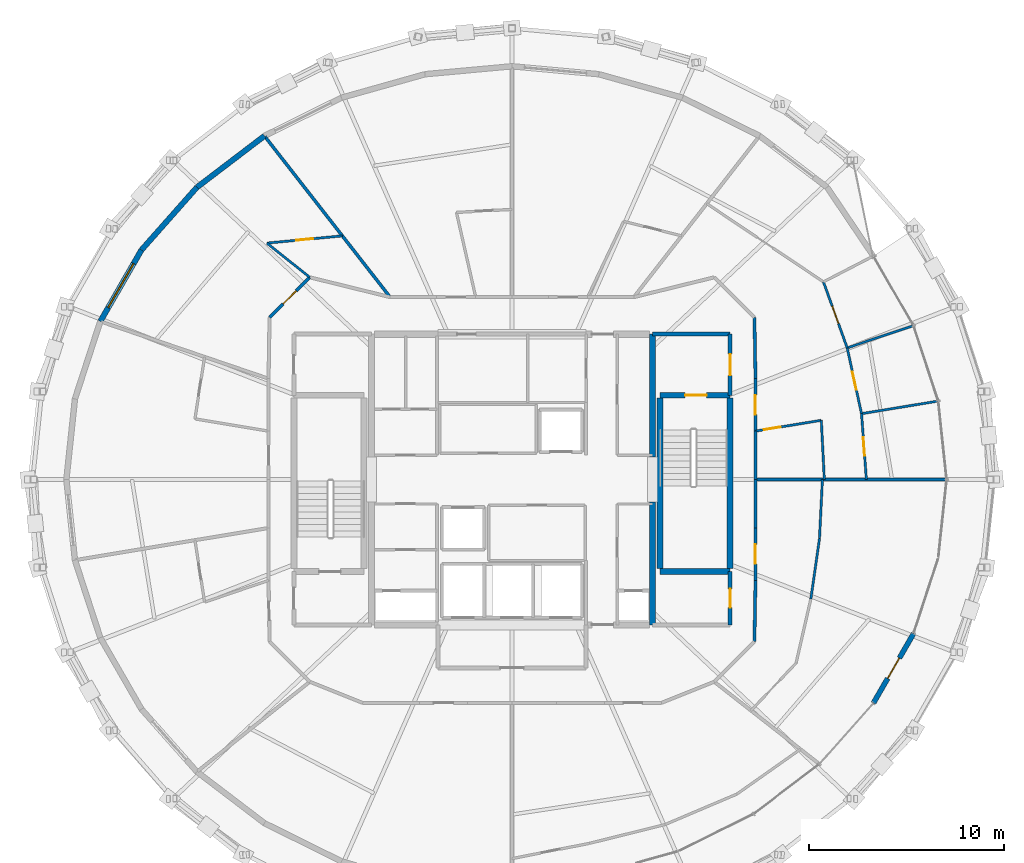
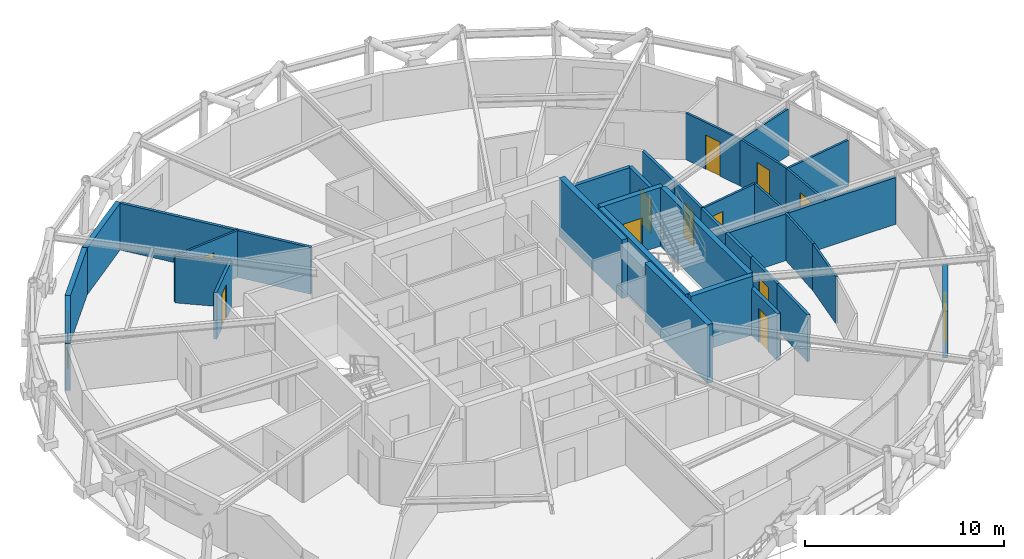
# One storey, part 15 of 17: 33 walls, 12 doors, 1 window, 13 openings.
"""IFC4 building model written with IfcOpenShell, lengths in metres."""

from ifc_helpers import new_model, si_unit, direction, frame, frame_2d, origin, place, context, subcontext, project, spatial, rectangle, extrude, material, layer, layer_set, type_object, element, fill, save


model = new_model("IFC4")

# Units and contexts
model_context = context("Model", 3, precision=1e-05, world=origin(), true_north=direction((0.0, 1.0)))
body_context = subcontext(model_context, "Body", "Model", "MODEL_VIEW")
ifc_project = project(units=[si_unit("LENGTHUNIT", "METRE"), si_unit("AREAUNIT", "SQUARE_METRE"), si_unit("VOLUMEUNIT", "CUBIC_METRE"), si_unit("PLANEANGLEUNIT", "RADIAN"), si_unit("MASSUNIT", "GRAM", prefix="KILO")], contexts=[model_context])

# Site, building, storey
site_placement = place(None, origin())
site = spatial("IfcSite", under=ifc_project, at=site_placement, CompositionType="ELEMENT")
building_placement = place(site_placement, origin())
building = spatial("IfcBuilding", under=site, at=building_placement, Name="Veldorina Hangang Commons", CompositionType="ELEMENT")
storey_placement = place(building_placement, frame((0.0, 0.0, 225.60009765625)))
storey = spatial("IfcBuildingStorey", under=building, at=storey_placement, Name="L58", CompositionType="ELEMENT", Elevation=225.60009765625)

# Walls
ifc_material_1 = material(Name="Concrete C50/60", Category="concrete")
ifc_layer_1 = layer(ifc_material_1, 0.320068359375)
ifc_layer_set_1 = layer_set([ifc_layer_1], Name="Concrete C50/60")
wall_type_1 = type_object("IfcWallType", Name="CW-RC320-C50", PredefinedType="SHEAR", material=ifc_layer_set_1)
for number, where, z_axis, x_axis, name in (
    (1, (39.199951171875, 16.550048828125, 0.0), (0.0, 0.0, 1.0), (0.0, 1.0, 0.0), "L58 E south core shear wall"),
    (2, (39.199951171875, 25.14990234375, 0.0), (0.0, 0.0, 1.0), (0.0, 1.0, 0.0), "L58 E north core shear wall"),
):
    element("IfcWall", number, at=place(storey_placement, frame(where, z_axis=z_axis, x_axis=x_axis)), inside=storey, type_object=wall_type_1, Name=name, PredefinedType="SHEAR", context=body_context, shape_type="SweptSolid", body=[
        extrude(rectangle(XDim=6.300048828125, YDim=0.320068359375, at=frame_2d((3.14990234375, 0.0))), origin(), (0.0, 0.0, 1.0), 3.599853515625),
    ])

# Wall, opening, door
ifc_material_2 = material(Name="Stone Roman Travertine", Category="masonry")
ifc_layer_2 = layer(ifc_material_2, 0.260009765625)
ifc_layer_set_2 = layer_set([ifc_layer_2], Name="Stone Roman Travertine")
wall_type_2 = type_object("IfcWallType", Name="EW-LOGGIA-260", PredefinedType="STANDARD", material=ifc_layer_set_2)
wall_1_placement = place(storey_placement, frame((50.525634765625, 12.542724609375, 0.0), z_axis=(0.0, 0.0, 1.0), x_axis=(0.500105692171, 0.865964373781, 0.0)))
wall_1 = element("IfcWall", 3, at=wall_1_placement, inside=storey, type_object=wall_type_2, Name="L58 sky-garden loggia portal wall 29", PredefinedType="STANDARD", context=body_context, shape_type="SweptSolid", body=[
    extrude(rectangle(XDim=4.1171875, YDim=0.260009765625, at=frame_2d((2.05859375, 0.0))), origin(), (0.0, 0.0, 1.0), 2.8798828125),
])
opening_1_placement = place(wall_1_placement, frame((1.45849609375, 0.0, 0.0)))
opening_1 = element("IfcOpeningElement", 4, at=opening_1_placement, cuts=wall_1, Name="Opening BD-1200", PredefinedType="OPENING", context=body_context, shape_type="SweptSolid", body=[
    extrude(rectangle(XDim=1.199951171875, YDim=2.14990234375, at=frame_2d((0.60009765625, 1.074951171875))), frame((0.0, 0.14013671875, 0.0), z_axis=(0.0, -1.0, 0.0), x_axis=(1.0, 0.0, 0.0)), (0.0, 0.0, 1.0), 0.280029296875),
])
ifc_material_3 = material(Name="Glass Thermal Aluminium Frame", Category="aluminium")
door_type_1 = type_object("IfcDoorType", Name="DR-EXT-LOG1200", OperationType="SINGLE_SWING_LEFT", PredefinedType="DOOR", material=ifc_material_3)
door_1_placement = place(opening_1_placement, origin())
door_1 = element("IfcDoor", 5, at=door_1_placement, inside=storey, type_object=door_type_1, Name="L58 loggia glazed exterior door 29", OperationType="SINGLE_SWING_RIGHT", OverallHeight=2.14990234375, OverallWidth=1.199951171875, PredefinedType="DOOR", context=body_context, shape_type="SweptSolid", body=[
    extrude(rectangle(XDim=1.199951171875, YDim=2.14990234375, at=frame_2d((0.60009765625, 1.074951171875))), frame((0.0, 0.02490234375, 0.0), z_axis=(0.0, -1.0, 0.0), x_axis=(1.0, 0.0, 0.0)), (0.0, 0.0, 1.0), 0.050048828125),
])
fill(opening_1, door_1)

# Walls
ifc_layer_3 = layer(ifc_material_2, 0.280029296875)
ifc_layer_set_3 = layer_set([ifc_layer_3], Name="Stone Roman Travertine")
wall_type_3 = type_object("IfcWallType", Name="EW-TRAV-280", PredefinedType="STANDARD", material=ifc_layer_set_3)
wall_2_placement = place(storey_placement, frame((19.310302734375, 41.612548828125, 0.0), z_axis=(0.0, 0.0, 1.0), x_axis=(-0.795722836513, -0.605660934394, 0.0)))
element("IfcWall", 6, at=wall_2_placement, inside=storey, type_object=wall_type_3, Name="L58 travertine facade wall 11", PredefinedType="STANDARD", context=body_context, shape_type="SweptSolid", body=[
    extrude(rectangle(XDim=4.349365234375, YDim=0.280029296875, at=frame_2d((2.1748046875, 0.0))), origin(), (0.0, 0.0, 1.0), 2.8798828125),
])
wall_3_placement = place(storey_placement, frame((15.849365234375, 38.978271484375, 0.0), z_axis=(0.0, 0.0, 1.0), x_axis=(-0.662704142497, -0.748881312037, 0.0)))
element("IfcWall", 7, at=wall_3_placement, inside=storey, type_object=wall_type_3, Name="L58 travertine facade wall 12", PredefinedType="STANDARD", context=body_context, shape_type="SweptSolid", body=[
    extrude(rectangle(XDim=4.286376953125, YDim=0.280029296875, at=frame_2d((2.14306640625, 0.0))), origin(), (0.0, 0.0, 1.0), 2.8798828125),
])

# Wall, opening, window
wall_4_placement = place(storey_placement, frame((13.0087890625, 35.768310546875, 0.0), z_axis=(0.0, 0.0, 1.0), x_axis=(-0.499382401046, -0.866381681204, 0.0)))
wall_4 = element("IfcWall", 8, at=wall_4_placement, inside=storey, type_object=wall_type_3, Name="L58 travertine facade wall 13", PredefinedType="STANDARD", context=body_context, shape_type="SweptSolid", body=[
    extrude(rectangle(XDim=4.226806640625, YDim=0.280029296875, at=frame_2d((2.11328125, 0.0))), origin(), (0.0, 0.0, 1.0), 2.8798828125),
])
opening_2_placement = place(wall_4_placement, frame((0.8134765625, 0.0, 0.800048828125)))
opening_2 = element("IfcOpeningElement", 9, at=opening_2_placement, cuts=wall_4, Name="Opening W-02", PredefinedType="OPENING", context=body_context, shape_type="SweptSolid", body=[
    extrude(rectangle(XDim=2.60009765625, YDim=1.64990234375, at=frame_2d((1.300048828125, 0.824951171875))), frame((0.0, 0.14990234375, 0.0), z_axis=(0.0, -1.0, 0.0), x_axis=(1.0, 0.0, 0.0)), (0.0, 0.0, 1.0), 0.300048828125),
])
ifc_material_4 = material(Name="Glass Low-E Triple IGU", Category="glass")
window_type = type_object("IfcWindowType", Name="WIN-TWR-2600", PartitioningType="SINGLE_PANEL", PredefinedType="WINDOW", material=ifc_material_4)
window_placement = place(opening_2_placement, origin())
window = element("IfcWindow", 10, at=window_placement, inside=storey, type_object=window_type, Name="L58 facade window 13", OverallHeight=1.64990234375, OverallWidth=2.60009765625, PartitioningType="SINGLE_PANEL", PredefinedType="WINDOW", context=body_context, shape_type="SweptSolid", body=[
    extrude(rectangle(XDim=2.60009765625, YDim=1.64990234375, at=frame_2d((1.300048828125, 0.824951171875))), frame((0.0, 0.030029296875, 0.0), z_axis=(0.0, -1.0, 0.0), x_axis=(1.0, 0.0, 0.0)), (0.0, 0.0, 1.0), 0.06005859375),
])
fill(opening_2, window)

# Walls
ifc_layer_4 = layer(ifc_material_1, 0.300048828125)
ifc_layer_set_4 = layer_set([ifc_layer_4], Name="Concrete C50/60")
wall_type_4 = type_object("IfcWallType", Name="SW-STAIR-300", PredefinedType="SHEAR", material=ifc_layer_set_4)
for number, where, z_axis, x_axis, name in (
    (11, (43.179931640625, 19.429931640625, 0.0), (0.0, 0.0, 1.0), (0.0, 1.0, 0.0), "L58 ST2 outer stair shear wall"),
    (12, (39.580078125, 19.429931640625, 0.0), (0.0, 0.0, 1.0), (0.0, 1.0, 0.0), "L58 ST2 inner stair shear wall"),
):
    element("IfcWall", number, at=place(storey_placement, frame(where, z_axis=z_axis, x_axis=x_axis)), inside=storey, type_object=wall_type_4, Name=name, PredefinedType="SHEAR", context=body_context, shape_type="SweptSolid", body=[
        extrude(rectangle(XDim=8.739990234375, YDim=0.300048828125, at=frame_2d((4.3701171875, 0.0))), origin(), (0.0, 0.0, 1.0), 3.599853515625),
    ])
wall_5_placement = place(storey_placement, frame((39.580078125, 19.280029296875, 0.0), z_axis=(0.0, 0.0, 1.0), x_axis=(1.0, 0.0, 0.0)))
element("IfcWall", 13, at=wall_5_placement, inside=storey, type_object=wall_type_4, Name="L58 ST2 south stair shear wall", PredefinedType="SHEAR", context=body_context, shape_type="SweptSolid", body=[
    extrude(rectangle(XDim=3.599853515625, YDim=0.300048828125, at=frame_2d((1.7998046875, 0.0))), origin(), (0.0, 0.0, 1.0), 3.599853515625),
])

# Wall, opening, door
wall_6_placement = place(storey_placement, frame((39.580078125, 28.320068359375, 0.0), z_axis=(0.0, 0.0, 1.0), x_axis=(1.0, 0.0, 0.0)))
wall_6 = element("IfcWall", 14, at=wall_6_placement, inside=storey, type_object=wall_type_4, Name="L58 ST2 north stair shear wall", PredefinedType="SHEAR", context=body_context, shape_type="SweptSolid", body=[
    extrude(rectangle(XDim=3.599853515625, YDim=0.300048828125, at=frame_2d((1.7998046875, 0.0))), origin(), (0.0, 0.0, 1.0), 3.599853515625),
])
opening_3_placement = place(wall_6_placement, frame((1.300048828125, 0.0, 0.0)))
opening_3 = element("IfcOpeningElement", 15, at=opening_3_placement, cuts=wall_6, Name="Opening D-08", PredefinedType="OPENING", context=body_context, shape_type="SweptSolid", body=[
    extrude(rectangle(XDim=1.10009765625, YDim=2.10009765625, at=frame_2d((0.550048828125, 1.050048828125))), frame((0.0, 0.16015625, 0.0), z_axis=(0.0, -1.0, 0.0), x_axis=(1.0, 0.0, 0.0)), (0.0, 0.0, 1.0), 0.320068359375),
])
ifc_material_5 = material(Name="Steel Fire-Rated Smoke Seal", Category="steel")
door_type_2 = type_object("IfcDoorType", Name="DR-FIRE-1100", OperationType="SINGLE_SWING_RIGHT", PredefinedType="DOOR", material=ifc_material_5)
door_2_placement = place(opening_3_placement, origin())
door_2 = element("IfcDoor", 16, at=door_2_placement, inside=storey, type_object=door_type_2, Name="L58 Special Escape Stair ST-2 door", OperationType="SINGLE_SWING_RIGHT", OverallHeight=2.10009765625, OverallWidth=1.10009765625, PredefinedType="DOOR", context=body_context, shape_type="SweptSolid", body=[
    extrude(rectangle(XDim=1.10009765625, YDim=2.10009765625, at=frame_2d((0.550048828125, 1.050048828125))), frame((0.0, 0.02490234375, 0.0), z_axis=(0.0, -1.0, 0.0), x_axis=(1.0, 0.0, 0.0)), (0.0, 0.0, 1.0), 0.050048828125),
])
fill(opening_3, door_2)

# Wall
ifc_material_6 = material(Name="Gypsum Fire-Rated Twin Stud Wall", Category="gypsum")
ifc_layer_5 = layer(ifc_material_6, 0.159912109375)
ifc_layer_set_5 = layer_set([ifc_layer_5], Name="Gypsum Fire-Rated Twin Stud Wall")
wall_type_5 = type_object("IfcWallType", Name="WL-FIRE-160", PredefinedType="SOLIDWALL", material=ifc_layer_set_5)
wall_7_placement = place(storey_placement, frame((44.47998046875, 24.0, 0.0), z_axis=(0.0, 0.0, 1.0), x_axis=(0.0, 1.0, 0.0)))
element("IfcWall", 17, at=wall_7_placement, inside=storey, type_object=wall_type_5, Name="L58 Compact collar outer wall 00 054", PredefinedType="SOLIDWALL", context=body_context, shape_type="SweptSolid", body=[
    extrude(rectangle(XDim=2.482421875, YDim=0.159912109375, at=frame_2d((1.2412109375, 0.0))), origin(), (0.0, 0.0, 1.0), 2.869873046875),
])

# Wall, opening, door
wall_8_placement = place(storey_placement, frame((44.47998046875, 26.482421875, 0.0), z_axis=(0.0, 0.0, 1.0), x_axis=(0.0, 1.0, 0.0)))
wall_8 = element("IfcWall", 18, at=wall_8_placement, inside=storey, type_object=wall_type_5, Name="L58 Compact collar outer wall 01 055", PredefinedType="SOLIDWALL", context=body_context, shape_type="SweptSolid", body=[
    extrude(rectangle(XDim=2.68701171875, YDim=0.159912109375, at=frame_2d((1.343505859375, 0.0))), origin(), (0.0, 0.0, 1.0), 2.869873046875),
])
opening_4_placement = place(wall_8_placement, frame((0.843505859375, 0.0, 0.0)))
opening_4 = element("IfcOpeningElement", 19, at=opening_4_placement, cuts=wall_8, Name="Opening D-06", PredefinedType="OPENING", context=body_context, shape_type="SweptSolid", body=[
    extrude(rectangle(XDim=1.0, YDim=2.10009765625, at=frame_2d((0.5, 1.050048828125))), frame((0.0, 0.08984375, 0.0), z_axis=(0.0, -1.0, 0.0), x_axis=(1.0, 0.0, 0.0)), (0.0, 0.0, 1.0), 0.179931640625),
])
ifc_material_7 = material(Name="Timber Fire-Rated Entrance Core", Category="wood")
door_type_3 = type_object("IfcDoorType", Name="DR-UNIT-1000", OperationType="SINGLE_SWING_LEFT", PredefinedType="DOOR", material=ifc_material_7)
door_3_placement = place(opening_4_placement, origin())
door_3 = element("IfcDoor", 20, at=door_3_placement, inside=storey, type_object=door_type_3, Name="L58 Cluster 2 entrance door 027", OperationType="SINGLE_SWING_LEFT", OverallHeight=2.10009765625, OverallWidth=1.0, PredefinedType="DOOR", context=body_context, shape_type="SweptSolid", body=[
    extrude(rectangle(XDim=1.0, YDim=2.10009765625, at=frame_2d((0.5, 1.050048828125))), frame((0.0, 0.02490234375, 0.0), z_axis=(0.0, -1.0, 0.0), x_axis=(1.0, 0.0, 0.0)), (0.0, 0.0, 1.0), 0.050048828125),
])
fill(opening_4, door_3)

# Wall
wall_9_placement = place(storey_placement, frame((44.47998046875, 29.16943359375, 0.0), z_axis=(0.0, 0.0, 1.0), x_axis=(-0.016981035134, 0.999855811828, 0.0)))
element("IfcWall", 21, at=wall_9_placement, inside=storey, type_object=wall_type_5, Name="L58 Compact collar outer wall 02 056", PredefinedType="SOLIDWALL", context=body_context, shape_type="SweptSolid", body=[
    extrude(rectangle(XDim=3.13427734375, YDim=0.159912109375, at=frame_2d((1.567138671875, 0.0))), origin(), (0.0, 0.0, 1.0), 2.869873046875),
])

# Wall, opening, door
wall_10_placement = place(storey_placement, frame((21.635009765625, 34.364990234375, 0.0), z_axis=(0.0, 0.0, 1.0), x_axis=(-0.707106781187, -0.707106781187, 0.0)))
wall_10 = element("IfcWall", 22, at=wall_10_placement, inside=storey, type_object=wall_type_5, Name="L58 Compact collar outer wall 12 066", PredefinedType="SOLIDWALL", context=body_context, shape_type="SweptSolid", body=[
    extrude(rectangle(XDim=2.915771484375, YDim=0.159912109375, at=frame_2d((1.4580078125, 0.0))), origin(), (0.0, 0.0, 1.0), 2.869873046875),
])
opening_5_placement = place(wall_10_placement, frame((0.98291015625, 0.0, 0.0)))
opening_5 = element("IfcOpeningElement", 23, at=opening_5_placement, cuts=wall_10, Name="Opening D-03", PredefinedType="OPENING", context=body_context, shape_type="SweptSolid", body=[
    extrude(rectangle(XDim=0.949951171875, YDim=2.10009765625, at=frame_2d((0.47509765625, 1.050048828125))), frame((0.0, 0.08984375, 0.0), z_axis=(0.0, -1.0, 0.0), x_axis=(1.0, 0.0, 0.0)), (0.0, 0.0, 1.0), 0.179931640625),
])
door_type_4 = type_object("IfcDoorType", Name="DR-UNIT-950", OperationType="SINGLE_SWING_RIGHT", PredefinedType="DOOR", material=ifc_material_7)
door_4_placement = place(opening_5_placement, origin())
door_4 = element("IfcDoor", 24, at=door_4_placement, inside=storey, type_object=door_type_4, Name="L58 Studio 5 entrance door 037", OperationType="SINGLE_SWING_LEFT", OverallHeight=2.10009765625, OverallWidth=0.949951171875, PredefinedType="DOOR", context=body_context, shape_type="SweptSolid", body=[
    extrude(rectangle(XDim=0.949951171875, YDim=2.10009765625, at=frame_2d((0.47509765625, 1.050048828125))), frame((0.0, 0.02490234375, 0.0), z_axis=(0.0, -1.0, 0.0), x_axis=(1.0, 0.0, 0.0)), (0.0, 0.0, 1.0), 0.050048828125),
])
fill(opening_5, door_4)

# Wall
wall_11_placement = place(storey_placement, frame((44.4267578125, 15.69677734375, 0.0), z_axis=(0.0, 0.0, 1.0), x_axis=(0.016981035134, 0.999855811828, 0.0)))
element("IfcWall", 25, at=wall_11_placement, inside=storey, type_object=wall_type_5, Name="L58 Compact collar outer wall 29 083", PredefinedType="SOLIDWALL", context=body_context, shape_type="SweptSolid", body=[
    extrude(rectangle(XDim=3.13427734375, YDim=0.159912109375, at=frame_2d((1.567138671875, 0.0))), origin(), (0.0, 0.0, 1.0), 2.869873046875),
])

# Wall, opening, door
wall_12_placement = place(storey_placement, frame((44.47998046875, 18.83056640625, 0.0), z_axis=(0.0, 0.0, 1.0), x_axis=(0.0, 1.0, 0.0)))
wall_12 = element("IfcWall", 26, at=wall_12_placement, inside=storey, type_object=wall_type_5, Name="L58 Compact collar outer wall 30 084", PredefinedType="SOLIDWALL", context=body_context, shape_type="SweptSolid", body=[
    extrude(rectangle(XDim=2.68701171875, YDim=0.159912109375, at=frame_2d((1.343505859375, 0.0))), origin(), (0.0, 0.0, 1.0), 2.869873046875),
])
opening_6_placement = place(wall_12_placement, frame((0.843505859375, 0.0, 0.0)))
opening_6 = element("IfcOpeningElement", 27, at=opening_6_placement, cuts=wall_12, Name="Opening D-05", PredefinedType="OPENING", context=body_context, shape_type="SweptSolid", body=[
    extrude(rectangle(XDim=1.0, YDim=2.10009765625, at=frame_2d((0.5, 1.050048828125))), frame((0.0, 0.08984375, 0.0), z_axis=(0.0, -1.0, 0.0), x_axis=(1.0, 0.0, 0.0)), (0.0, 0.0, 1.0), 0.179931640625),
])
ifc_material_8 = material(Name="Timber Solid Core Acoustic", Category="wood")
door_type_5 = type_object("IfcDoorType", Name="DR-INT-1000", OperationType="SINGLE_SWING_RIGHT", PredefinedType="DOOR", material=ifc_material_8)
door_5_placement = place(opening_6_placement, origin())
door_5 = element("IfcDoor", 28, at=door_5_placement, inside=storey, type_object=door_type_5, Name="L58 Commons alcove door 024", OperationType="SINGLE_SWING_RIGHT", OverallHeight=2.10009765625, OverallWidth=1.0, PredefinedType="DOOR", context=body_context, shape_type="SweptSolid", body=[
    extrude(rectangle(XDim=1.0, YDim=2.10009765625, at=frame_2d((0.5, 1.050048828125))), frame((0.0, 0.02490234375, 0.0), z_axis=(0.0, -1.0, 0.0), x_axis=(1.0, 0.0, 0.0)), (0.0, 0.0, 1.0), 0.050048828125),
])
fill(opening_6, door_5)

# Walls
wall_13_placement = place(storey_placement, frame((44.47998046875, 21.517578125, 0.0), z_axis=(0.0, 0.0, 1.0), x_axis=(0.0, 1.0, 0.0)))
element("IfcWall", 29, at=wall_13_placement, inside=storey, type_object=wall_type_5, Name="L58 Compact collar outer wall 31 085", PredefinedType="SOLIDWALL", context=body_context, shape_type="SweptSolid", body=[
    extrude(rectangle(XDim=2.482421875, YDim=0.159912109375, at=frame_2d((1.2412109375, 0.0))), origin(), (0.0, 0.0, 1.0), 2.869873046875),
])
wall_14_placement = place(storey_placement, frame((44.47998046875, 24.0, 0.0), z_axis=(0.0, 0.0, 1.0), x_axis=(1.0, 0.0, 0.0)))
element("IfcWall", 30, at=wall_14_placement, inside=storey, type_object=wall_type_5, Name="L58 Unit party wall 00 091", PredefinedType="SOLIDWALL", context=body_context, shape_type="SweptSolid", body=[
    extrude(rectangle(XDim=9.750732421875, YDim=0.159912109375, at=frame_2d((4.87548828125, 0.0))), origin(), (0.0, 0.0, 1.0), 2.869873046875),
])
wall_15_placement = place(storey_placement, frame((25.75244140625, 33.35009765625, 0.0), z_axis=(0.0, 0.0, 1.0), x_axis=(-0.614883592215, 0.788617884672, 0.0)))
element("IfcWall", 31, at=wall_15_placement, inside=storey, type_object=wall_type_5, Name="L58 Unit party wall 11 107", PredefinedType="SOLIDWALL", context=body_context, shape_type="SweptSolid", body=[
    extrude(rectangle(XDim=10.427001953125, YDim=0.159912109375, at=frame_2d((5.21337890625, 0.0))), origin(), (0.0, 0.0, 1.0), 2.869873046875),
])

# Wall, opening, door
ifc_material_9 = material(Name="Concrete Blockwork Fire Wall C30/37", Category="masonry")
ifc_layer_6 = layer(ifc_material_9, 0.199951171875)
ifc_layer_set_6 = layer_set([ifc_layer_6], Name="Concrete Blockwork Fire Wall C30/37")
wall_type_6 = type_object("IfcWallType", Name="WL-FIRE-200", PredefinedType="SOLIDWALL", material=ifc_layer_set_6)
wall_16_placement = place(storey_placement, frame((43.179931640625, 28.320068359375, 0.0), z_axis=(0.0, 0.0, 1.0), x_axis=(0.0, 1.0, 0.0)))
wall_16 = element("IfcWall", 32, at=wall_16_placement, inside=storey, type_object=wall_type_6, Name="L58 East vestibule outer wall 003", PredefinedType="SOLIDWALL", context=body_context, shape_type="SweptSolid", body=[
    extrude(rectangle(XDim=3.1298828125, YDim=0.199951171875, at=frame_2d((1.56494140625, 0.0))), origin(), (0.0, 0.0, 1.0), 2.869873046875),
])
opening_7_placement = place(wall_16_placement, frame((1.014892578125, 0.0, 0.0)))
opening_7 = element("IfcOpeningElement", 33, at=opening_7_placement, cuts=wall_16, Name="Opening D-08", PredefinedType="OPENING", context=body_context, shape_type="SweptSolid", body=[
    extrude(rectangle(XDim=1.10009765625, YDim=2.10009765625, at=frame_2d((0.550048828125, 1.050048828125))), frame((0.0, 0.10986328125, 0.0), z_axis=(0.0, -1.0, 0.0), x_axis=(1.0, 0.0, 0.0)), (0.0, 0.0, 1.0), 0.219970703125),
])
door_6_placement = place(opening_7_placement, origin())
door_6 = element("IfcDoor", 34, at=door_6_placement, inside=storey, type_object=door_type_2, Name="L58 East vestibule east door 002", OperationType="SINGLE_SWING_RIGHT", OverallHeight=2.10009765625, OverallWidth=1.10009765625, PredefinedType="DOOR", context=body_context, shape_type="SweptSolid", body=[
    extrude(rectangle(XDim=1.10009765625, YDim=2.10009765625, at=frame_2d((0.550048828125, 1.050048828125))), frame((0.0, 0.02490234375, 0.0), z_axis=(0.0, -1.0, 0.0), x_axis=(1.0, 0.0, 0.0)), (0.0, 0.0, 1.0), 0.050048828125),
])
fill(opening_7, door_6)

# Wall
wall_17_placement = place(storey_placement, frame((39.199951171875, 31.449951171875, 0.0), z_axis=(0.0, 0.0, 1.0), x_axis=(1.0, 0.0, 0.0)))
element("IfcWall", 35, at=wall_17_placement, inside=storey, type_object=wall_type_6, Name="L58 East vestibule north wall 004", PredefinedType="SOLIDWALL", context=body_context, shape_type="SweptSolid", body=[
    extrude(rectangle(XDim=3.97998046875, YDim=0.199951171875, at=frame_2d((1.989990234375, 0.0))), origin(), (0.0, 0.0, 1.0), 2.869873046875),
])

# Wall, opening, door
wall_18_placement = place(storey_placement, frame((43.179931640625, 16.550048828125, 0.0), z_axis=(0.0, 0.0, 1.0), x_axis=(0.0, 1.0, 0.0)))
wall_18 = element("IfcWall", 36, at=wall_18_placement, inside=storey, type_object=wall_type_6, Name="L58 SE core room outer wall 007", PredefinedType="SOLIDWALL", context=body_context, shape_type="SweptSolid", body=[
    extrude(rectangle(XDim=2.72998046875, YDim=0.199951171875, at=frame_2d((1.364990234375, 0.0))), origin(), (0.0, 0.0, 1.0), 2.869873046875),
])
opening_8_placement = place(wall_18_placement, frame((0.889892578125, 0.0, 0.0)))
opening_8 = element("IfcOpeningElement", 37, at=opening_8_placement, cuts=wall_18, Name="Opening D-02", PredefinedType="OPENING", context=body_context, shape_type="SweptSolid", body=[
    extrude(rectangle(XDim=0.949951171875, YDim=2.10009765625, at=frame_2d((0.47509765625, 1.050048828125))), frame((0.0, 0.10986328125, 0.0), z_axis=(0.0, -1.0, 0.0), x_axis=(1.0, 0.0, 0.0)), (0.0, 0.0, 1.0), 0.219970703125),
])
door_type_6 = type_object("IfcDoorType", Name="DR-INT-950", OperationType="SINGLE_SWING_LEFT", PredefinedType="DOOR", material=ifc_material_8)
door_7_placement = place(opening_8_placement, origin())
door_7 = element("IfcDoor", 38, at=door_7_placement, inside=storey, type_object=door_type_6, Name="L58 SE core WC door 004", OperationType="SINGLE_SWING_RIGHT", OverallHeight=2.10009765625, OverallWidth=0.949951171875, PredefinedType="DOOR", context=body_context, shape_type="SweptSolid", body=[
    extrude(rectangle(XDim=0.949951171875, YDim=2.10009765625, at=frame_2d((0.47509765625, 1.050048828125))), frame((0.0, 0.02490234375, 0.0), z_axis=(0.0, -1.0, 0.0), x_axis=(1.0, 0.0, 0.0)), (0.0, 0.0, 1.0), 0.050048828125),
])
fill(opening_8, door_7)

# Walls
ifc_material_10 = material(Name="Gypsum Acoustic Stud Partition", Category="gypsum")
ifc_layer_7 = layer(ifc_material_10, 0.1201171875)
ifc_layer_set_7 = layer_set([ifc_layer_7], Name="Gypsum Acoustic Stud Partition")
wall_type_7 = type_object("IfcWallType", Name="WL-PART-120", PredefinedType="PARTITIONING", material=ifc_layer_set_7)
wall_19_placement = place(storey_placement, frame((47.316650390625, 17.877685546875, 0.0), z_axis=(0.0, 0.0, 1.0), x_axis=(0.141705072356, 0.9899089213, 0.0)))
element("IfcWall", 39, at=wall_19_placement, inside=storey, type_object=wall_type_7, Name="L58 Lounge alcove split 2 089", PredefinedType="PARTITIONING", context=body_context, shape_type="SweptSolid", body=[
    extrude(rectangle(XDim=3.132080078125, YDim=0.1201171875, at=frame_2d((1.56591796875, 0.0))), origin(), (0.0, 0.0, 1.0), 2.869873046875),
])
wall_20_placement = place(storey_placement, frame((47.760498046875, 20.978271484375, 0.0), z_axis=(0.0, 0.0, 1.0), x_axis=(0.049466716378, 0.998775772619, 0.0)))
element("IfcWall", 40, at=wall_20_placement, inside=storey, type_object=wall_type_7, Name="L58 Lounge alcove split 3 090", PredefinedType="PARTITIONING", context=body_context, shape_type="SweptSolid", body=[
    extrude(rectangle(XDim=3.025390625, YDim=0.1201171875, at=frame_2d((1.5126953125, 0.0))), origin(), (0.0, 0.0, 1.0), 2.869873046875),
])
wall_21_placement = place(storey_placement, frame((48.00830078125, 24.0, 0.0), z_axis=(0.0, 0.0, 1.0), x_axis=(-0.050738421971, 0.998711976766, 0.0)))
element("IfcWall", 41, at=wall_21_placement, inside=storey, type_object=wall_type_7, Name="L58 Cluster 2 bath front wall 092", PredefinedType="PARTITIONING", context=body_context, shape_type="SweptSolid", body=[
    extrude(rectangle(XDim=3.041015625, YDim=0.1201171875, at=frame_2d((1.5205078125, 0.0))), origin(), (0.0, 0.0, 1.0), 2.869873046875),
])

# Wall, opening, door
wall_22_placement = place(storey_placement, frame((44.47998046875, 26.482421875, 0.0), z_axis=(0.0, 0.0, 1.0), x_axis=(0.986754313542, 0.162221837943, 0.0)))
wall_22 = element("IfcWall", 42, at=wall_22_placement, inside=storey, type_object=wall_type_7, Name="L58 Cluster 2 bath side wall 093", PredefinedType="PARTITIONING", context=body_context, shape_type="SweptSolid", body=[
    extrude(rectangle(XDim=3.41943359375, YDim=0.1201171875, at=frame_2d((1.709716796875, 0.0))), origin(), (0.0, 0.0, 1.0), 2.869873046875),
])
opening_9_placement = place(wall_22_placement, frame((0.43994140625, 0.0, 0.0)))
opening_9 = element("IfcOpeningElement", 43, at=opening_9_placement, cuts=wall_22, Name="Opening D-01", PredefinedType="OPENING", context=body_context, shape_type="SweptSolid", body=[
    extrude(rectangle(XDim=0.860107421875, YDim=2.10009765625, at=frame_2d((0.43017578125, 1.050048828125))), frame((0.0, 0.070068359375, 0.0), z_axis=(0.0, -1.0, 0.0), x_axis=(1.0, 0.0, 0.0)), (0.0, 0.0, 1.0), 0.14013671875),
])
ifc_material_11 = material(Name="Timber Moisture-Resistant Core", Category="wood")
door_type_7 = type_object("IfcDoorType", Name="DR-WET-860", OperationType="SINGLE_SWING_LEFT", PredefinedType="DOOR", material=ifc_material_11)
door_8_placement = place(opening_9_placement, origin())
door_8 = element("IfcDoor", 44, at=door_8_placement, inside=storey, type_object=door_type_7, Name="L58 Cluster 2 shared bathroom door 026", OperationType="SINGLE_SWING_RIGHT", OverallHeight=2.10009765625, OverallWidth=0.860107421875, PredefinedType="DOOR", context=body_context, shape_type="SweptSolid", body=[
    extrude(rectangle(XDim=0.860107421875, YDim=2.10009765625, at=frame_2d((0.43017578125, 1.050048828125))), frame((0.0, 0.02490234375, 0.0), z_axis=(0.0, -1.0, 0.0), x_axis=(1.0, 0.0, 0.0)), (0.0, 0.0, 1.0), 0.050048828125),
])
fill(opening_9, door_8)

wall_23_placement = place(storey_placement, frame((50.164306640625, 24.0, 0.0), z_axis=(0.0, 0.0, 1.0), x_axis=(-0.073343046292, 0.997306772042, 0.0)))
wall_23 = element("IfcWall", 45, at=wall_23_placement, inside=storey, type_object=wall_type_7, Name="L58 Cluster 2 bed 1 front wall 094", PredefinedType="PARTITIONING", context=body_context, shape_type="SweptSolid", body=[
    extrude(rectangle(XDim=3.38525390625, YDim=0.1201171875, at=frame_2d((1.692626953125, 0.0))), origin(), (0.0, 0.0, 1.0), 2.869873046875),
])
opening_10_placement = place(wall_23_placement, frame((1.217529296875, 0.0, 0.0)))
opening_10 = element("IfcOpeningElement", 46, at=opening_10_placement, cuts=wall_23, Name="Opening D-02", PredefinedType="OPENING", context=body_context, shape_type="SweptSolid", body=[
    extrude(rectangle(XDim=0.949951171875, YDim=2.10009765625, at=frame_2d((0.47509765625, 1.050048828125))), frame((0.0, 0.070068359375, 0.0), z_axis=(0.0, -1.0, 0.0), x_axis=(1.0, 0.0, 0.0)), (0.0, 0.0, 1.0), 0.14013671875),
])
door_9_placement = place(opening_10_placement, origin())
door_9 = element("IfcDoor", 47, at=door_9_placement, inside=storey, type_object=door_type_6, Name="L58 Cluster 2 bed 1 door 028", OperationType="SINGLE_SWING_RIGHT", OverallHeight=2.10009765625, OverallWidth=0.949951171875, PredefinedType="DOOR", context=body_context, shape_type="SweptSolid", body=[
    extrude(rectangle(XDim=0.949951171875, YDim=2.10009765625, at=frame_2d((0.47509765625, 1.050048828125))), frame((0.0, 0.02490234375, 0.0), z_axis=(0.0, -1.0, 0.0), x_axis=(1.0, 0.0, 0.0)), (0.0, 0.0, 1.0), 0.050048828125),
])
fill(opening_10, door_9)

wall_24_placement = place(storey_placement, frame((49.916015625, 27.376220703125, 0.0), z_axis=(0.0, 0.0, 1.0), x_axis=(-0.213063946471, 0.977038256525, 0.0)))
wall_24 = element("IfcWall", 48, at=wall_24_placement, inside=storey, type_object=wall_type_7, Name="L58 Cluster 2 bed 2 front wall 095", PredefinedType="PARTITIONING", context=body_context, shape_type="SweptSolid", body=[
    extrude(rectangle(XDim=3.451416015625, YDim=0.1201171875, at=frame_2d((1.7255859375, 0.0))), origin(), (0.0, 0.0, 1.0), 2.869873046875),
])
opening_11_placement = place(wall_24_placement, frame((1.250732421875, 0.0, 0.0)))
opening_11 = element("IfcOpeningElement", 49, at=opening_11_placement, cuts=wall_24, Name="Opening D-02", PredefinedType="OPENING", context=body_context, shape_type="SweptSolid", body=[
    extrude(rectangle(XDim=0.949951171875, YDim=2.10009765625, at=frame_2d((0.47509765625, 1.050048828125))), frame((0.0, 0.070068359375, 0.0), z_axis=(0.0, -1.0, 0.0), x_axis=(1.0, 0.0, 0.0)), (0.0, 0.0, 1.0), 0.14013671875),
])
door_10_placement = place(opening_11_placement, origin())
door_10 = element("IfcDoor", 50, at=door_10_placement, inside=storey, type_object=door_type_6, Name="L58 Cluster 2 bed 2 door 029", OperationType="SINGLE_SWING_LEFT", OverallHeight=2.10009765625, OverallWidth=0.949951171875, PredefinedType="DOOR", context=body_context, shape_type="SweptSolid", body=[
    extrude(rectangle(XDim=0.949951171875, YDim=2.10009765625, at=frame_2d((0.47509765625, 1.050048828125))), frame((0.0, 0.02490234375, 0.0), z_axis=(0.0, -1.0, 0.0), x_axis=(1.0, 0.0, 0.0)), (0.0, 0.0, 1.0), 0.050048828125),
])
fill(opening_11, door_10)

# Wall
wall_25_placement = place(storey_placement, frame((49.916015625, 27.376220703125, 0.0), z_axis=(0.0, 0.0, 1.0), x_axis=(0.98675994364, 0.162187587772, 0.0)))
element("IfcWall", 51, at=wall_25_placement, inside=storey, type_object=wall_type_7, Name="L58 Cluster 2 bed divider 1 096", PredefinedType="PARTITIONING", context=body_context, shape_type="SweptSolid", body=[
    extrude(rectangle(XDim=3.939453125, YDim=0.1201171875, at=frame_2d((1.9697265625, 0.0))), origin(), (0.0, 0.0, 1.0), 2.869873046875),
])

# Wall, opening, door
wall_26_placement = place(storey_placement, frame((49.1806640625, 30.748291015625, 0.0), z_axis=(0.0, 0.0, 1.0), x_axis=(-0.33827951378, 0.941045679314, 0.0)))
wall_26 = element("IfcWall", 52, at=wall_26_placement, inside=storey, type_object=wall_type_7, Name="L58 Cluster 2 bed 3 front wall 097", PredefinedType="PARTITIONING", context=body_context, shape_type="SweptSolid", body=[
    extrude(rectangle(XDim=3.59619140625, YDim=0.1201171875, at=frame_2d((1.798095703125, 0.0))), origin(), (0.0, 0.0, 1.0), 2.869873046875),
])
opening_12_placement = place(wall_26_placement, frame((1.322998046875, 0.0, 0.0)))
opening_12 = element("IfcOpeningElement", 53, at=opening_12_placement, cuts=wall_26, Name="Opening D-02", PredefinedType="OPENING", context=body_context, shape_type="SweptSolid", body=[
    extrude(rectangle(XDim=0.949951171875, YDim=2.10009765625, at=frame_2d((0.47509765625, 1.050048828125))), frame((0.0, 0.070068359375, 0.0), z_axis=(0.0, -1.0, 0.0), x_axis=(1.0, 0.0, 0.0)), (0.0, 0.0, 1.0), 0.14013671875),
])
door_11_placement = place(opening_12_placement, origin())
door_11 = element("IfcDoor", 54, at=door_11_placement, inside=storey, type_object=door_type_6, Name="L58 Cluster 2 bed 3 door 030", OperationType="SINGLE_SWING_RIGHT", OverallHeight=2.10009765625, OverallWidth=0.949951171875, PredefinedType="DOOR", context=body_context, shape_type="SweptSolid", body=[
    extrude(rectangle(XDim=0.949951171875, YDim=2.10009765625, at=frame_2d((0.47509765625, 1.050048828125))), frame((0.0, 0.02490234375, 0.0), z_axis=(0.0, -1.0, 0.0), x_axis=(1.0, 0.0, 0.0)), (0.0, 0.0, 1.0), 0.050048828125),
])
fill(opening_12, door_11)

# Wall
wall_27_placement = place(storey_placement, frame((49.1806640625, 30.748291015625, 0.0), z_axis=(0.0, 0.0, 1.0), x_axis=(0.947929060238, 0.318481548534, 0.0)))
element("IfcWall", 55, at=wall_27_placement, inside=storey, type_object=wall_type_7, Name="L58 Cluster 2 bed divider 2 098", PredefinedType="PARTITIONING", context=body_context, shape_type="SweptSolid", body=[
    extrude(rectangle(XDim=3.540771484375, YDim=0.1201171875, at=frame_2d((1.7705078125, 0.0))), origin(), (0.0, 0.0, 1.0), 2.869873046875),
])

# Wall, opening, door
wall_28_placement = place(storey_placement, frame((23.304443359375, 36.48974609375, 0.0), z_axis=(0.0, 0.0, 1.0), x_axis=(-0.995411791271, -0.09568367572, 0.0)))
wall_28 = element("IfcWall", 56, at=wall_28_placement, inside=storey, type_object=wall_type_7, Name="L58 Studio 5 bath front wall 108", PredefinedType="PARTITIONING", context=body_context, shape_type="SweptSolid", body=[
    extrude(rectangle(XDim=3.885986328125, YDim=0.1201171875, at=frame_2d((1.94287109375, 0.0))), origin(), (0.0, 0.0, 1.0), 2.869873046875),
])
opening_13_placement = place(wall_28_placement, frame((1.512939453125, 0.0, 0.0)))
opening_13 = element("IfcOpeningElement", 57, at=opening_13_placement, cuts=wall_28, Name="Opening D-01", PredefinedType="OPENING", context=body_context, shape_type="SweptSolid", body=[
    extrude(rectangle(XDim=0.860107421875, YDim=2.10009765625, at=frame_2d((0.43017578125, 1.050048828125))), frame((0.0, 0.070068359375, 0.0), z_axis=(0.0, -1.0, 0.0), x_axis=(1.0, 0.0, 0.0)), (0.0, 0.0, 1.0), 0.14013671875),
])
door_12_placement = place(opening_13_placement, origin())
door_12 = element("IfcDoor", 58, at=door_12_placement, inside=storey, type_object=door_type_7, Name="L58 Studio 5 bathroom door 036", OperationType="SINGLE_SWING_RIGHT", OverallHeight=2.10009765625, OverallWidth=0.860107421875, PredefinedType="DOOR", context=body_context, shape_type="SweptSolid", body=[
    extrude(rectangle(XDim=0.860107421875, YDim=2.10009765625, at=frame_2d((0.43017578125, 1.050048828125))), frame((0.0, 0.02490234375, 0.0), z_axis=(0.0, -1.0, 0.0), x_axis=(1.0, 0.0, 0.0)), (0.0, 0.0, 1.0), 0.050048828125),
])
fill(opening_13, door_12)

# Wall
wall_29_placement = place(storey_placement, frame((21.635009765625, 34.364990234375, 0.0), z_axis=(0.0, 0.0, 1.0), x_axis=(-0.781918038943, 0.623381248014, 0.0)))
element("IfcWall", 59, at=wall_29_placement, inside=storey, type_object=wall_type_7, Name="L58 Studio 5 bath side wall 109", PredefinedType="PARTITIONING", context=body_context, shape_type="SweptSolid", body=[
    extrude(rectangle(XDim=2.81201171875, YDim=0.1201171875, at=frame_2d((1.406005859375, 0.0))), origin(), (0.0, 0.0, 1.0), 2.869873046875),
])

save(model, "model.ifc")
